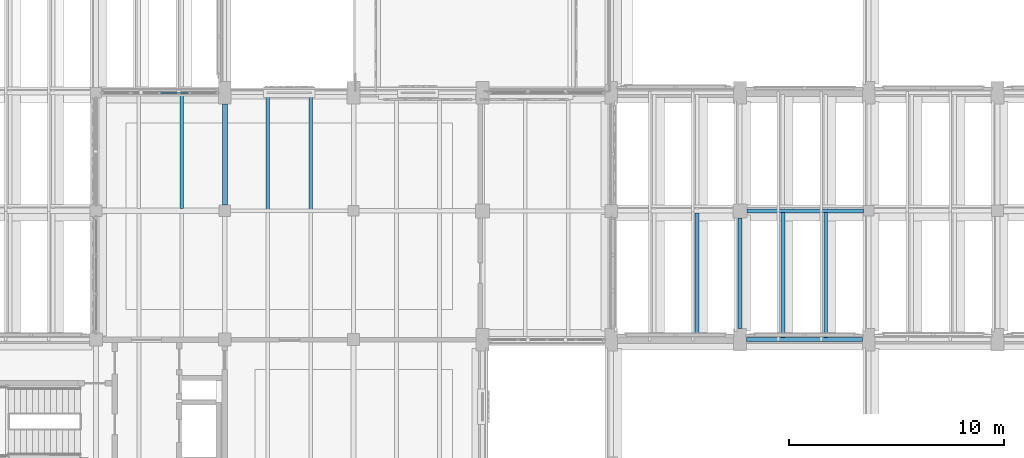
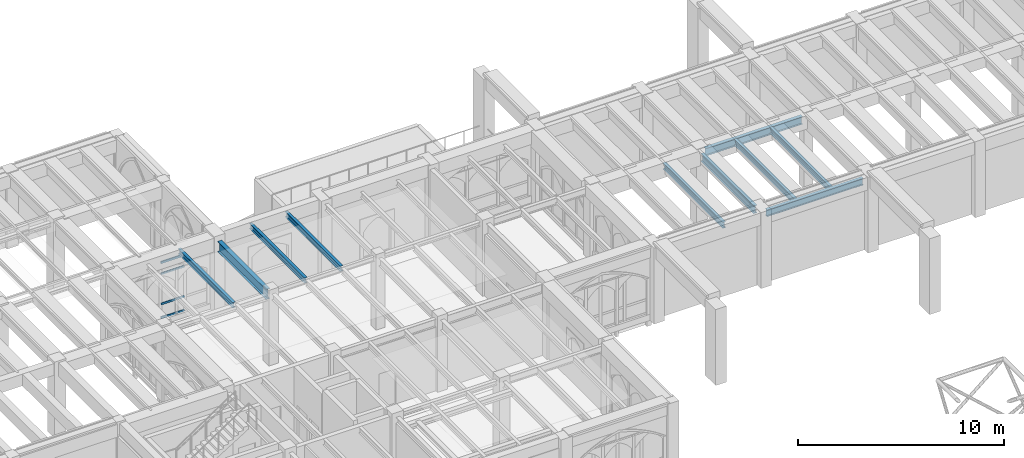
# One storey, part 54 of 127: 10 beams, 4 members, 1 element without a shape of its own.
"""IFC4 building model written with IfcOpenShell, lengths in metres."""

from ifc_helpers import new_model, si_unit, direction, frame, origin, origin_2d, place, context, subcontext, project, spatial, hollow_rectangle, i_section, extrude, material, layer, layer_set, material_profile, profile_set, type_object, element, aggregate, save


model = new_model("IFC4")

# Units and contexts
model_context = context("Model", 3, precision=1e-05, world=origin(), true_north=direction((0.0, 1.0)))
body_context = subcontext(model_context, "Body", "Model", "MODEL_VIEW")
ifc_project = project(units=[si_unit("LENGTHUNIT", "METRE"), si_unit("AREAUNIT", "SQUARE_METRE"), si_unit("VOLUMEUNIT", "CUBIC_METRE"), si_unit("PLANEANGLEUNIT", "RADIAN"), si_unit("MASSUNIT", "GRAM", prefix="KILO")], contexts=[model_context])

# Site, building, storey
site_placement = place(None, origin())
site = spatial("IfcSite", under=ifc_project, at=site_placement, CompositionType="ELEMENT")
building_placement = place(site_placement, origin())
building = spatial("IfcBuilding", under=site, at=building_placement, Name="Cumevento Cable Car Station", CompositionType="ELEMENT")
storey_placement = place(building_placement, frame((0.0, 0.0, 4.5)))
storey = spatial("IfcBuildingStorey", under=building, at=storey_placement, Name="L02", CompositionType="ELEMENT", Elevation=4.5)

# Curtain wall, members
ifc_material_1 = material(Name="Anodised Bronze Aluminium AW-6063-T6", Category="aluminium")
ifc_layer = layer(ifc_material_1, 0.22607421875)
ifc_layer_set = layer_set([ifc_layer], Name="Anodised Bronze Aluminium AW-6063-T6")
curtain_wall_type = type_object("IfcCurtainWallType", Name="Lancet Curtain Wall CW-12 1490", PredefinedType="NOTDEFINED", material=ifc_layer_set)
curtain_wall_placement = place(storey_placement, origin())
curtain_wall = element("IfcCurtainWall", 1, at=curtain_wall_placement, inside=storey, type_object=curtain_wall_type, Name="Lancet Curtain Wall CW-12 L02 #59", PredefinedType="NOTDEFINED")
ifc_material_2 = material(Name="Anodised Bronze Aluminium AW-6063-T6", Category="aluminium")
ifc_material_profile_1 = material_profile(ifc_material_2, hollow_rectangle(XDim=0.06494140625, YDim=0.1201171875, WallThickness=0.00390625, at=origin_2d()), Name="ALUT65x120x4")
ifc_profile_set_1 = profile_set([ifc_material_profile_1], Name="Anodised Bronze Aluminium AW-6063-T6")
member_type = type_object("IfcMemberType", Name="Curtain Transom CWT-01 ALUT65x120x4", PredefinedType="USERDEFINED", material=ifc_profile_set_1)
member_1_placement = place(storey_placement, frame((67.007568359375, 56.5, 0.342529296875), z_axis=(1.0, 0.0, 0.0), x_axis=(0.0, 1.0, 0.0)))
member_1 = element("IfcMember", 2, at=member_1_placement, type_object=member_type, Name="CW-12 transom 3.1", ObjectType="TRANSOM", PredefinedType="USERDEFINED", context=body_context, shape_type="SweptSolid", body=[
    extrude(hollow_rectangle(XDim=0.06494140625, YDim=0.1201171875, WallThickness=0.00390625, at=origin_2d()), origin(), (0.0, 0.0, 1.0), 1.29736328125),
])
member_2_placement = place(storey_placement, frame((67.007568359375, 56.5, 1.159912109375), z_axis=(1.0, 0.0, 0.0), x_axis=(0.0, 1.0, 0.0)))
member_2 = element("IfcMember", 3, at=member_2_placement, type_object=member_type, Name="CW-12 transom 3.2", ObjectType="TRANSOM", PredefinedType="USERDEFINED", context=body_context, shape_type="SweptSolid", body=[
    extrude(hollow_rectangle(XDim=0.06494140625, YDim=0.1201171875, WallThickness=0.00390625, at=origin_2d()), origin(), (0.0, 0.0, 1.0), 1.29736328125),
])
member_3_placement = place(storey_placement, frame((67.007568359375, 56.5, 2.947021484375), z_axis=(1.0, 0.0, 0.0), x_axis=(0.0, 1.0, 0.0)))
member_3 = element("IfcMember", 4, at=member_3_placement, type_object=member_type, Name="CW-12 transom 3.3", ObjectType="TRANSOM", PredefinedType="USERDEFINED", context=body_context, shape_type="SweptSolid", body=[
    extrude(hollow_rectangle(XDim=0.06494140625, YDim=0.1201171875, WallThickness=0.00390625, at=origin_2d()), origin(), (0.0, 0.0, 1.0), 1.29736328125),
])
member_4_placement = place(storey_placement, frame((67.007568359375, 56.5, 3.614501953125), z_axis=(1.0, 0.0, 0.0), x_axis=(0.0, 1.0, 0.0)))
member_4 = element("IfcMember", 5, at=member_4_placement, type_object=member_type, Name="CW-12 transom 3.4", ObjectType="TRANSOM", PredefinedType="USERDEFINED", context=body_context, shape_type="SweptSolid", body=[
    extrude(hollow_rectangle(XDim=0.06494140625, YDim=0.1201171875, WallThickness=0.00390625, at=origin_2d()), origin(), (0.0, 0.0, 1.0), 1.29736328125),
])
aggregate(curtain_wall, [member_1, member_2, member_3, member_4])

# Beams
ifc_material_3 = material(Name="Steel ASTM A572 Grade 50", Category="steel")
ifc_material_profile_2 = material_profile(ifc_material_3, i_section(OverallWidth=0.22802734375, OverallDepth=0.60791015625, WebThickness=0.01123046875, FlangeThickness=0.017333984375, at=origin_2d()), Name="W610x113.0")
ifc_profile_set_2 = profile_set([ifc_material_profile_2], Name="Steel ASTM A572 Grade 50")
beam_type_1 = type_object("IfcBeamType", Name="Structural Beam BM-02 W610x113.0", PredefinedType="BEAM", material=ifc_profile_set_2)
beam_1_placement = place(storey_placement, frame((70.0, 51.27490234375, 3.865966796875), z_axis=(0.0, 1.0, 0.0), x_axis=(-1.0, 0.0, 0.0)))
element("IfcBeam", 6, at=beam_1_placement, inside=storey, type_object=beam_type_1, Name="Beam BM-02 L02 #604", PredefinedType="BEAM", context=body_context, shape_type="SweptSolid", body=[
    extrude(i_section(OverallWidth=0.22802734375, OverallDepth=0.60791015625, WebThickness=0.01123046875, FlangeThickness=0.017333984375, at=origin_2d()), origin(), (0.0, 0.0, 1.0), 4.7001953125),
])
ifc_material_4 = material(Name="Steel ASTM A572 Grade 50", Category="steel")
ifc_material_profile_3 = material_profile(ifc_material_4, i_section(OverallWidth=0.18994140625, OverallDepth=0.45703125, WebThickness=0.009033203125, FlangeThickness=0.014404296875, at=origin_2d()), Name="W460x74.0")
ifc_profile_set_3 = profile_set([ifc_material_profile_3], Name="Steel ASTM A572 Grade 50")
beam_type_2 = type_object("IfcBeamType", Name="Structural Beam BM-04 W460x74.0", PredefinedType="BEAM", material=ifc_profile_set_3)
beam_2_placement = place(storey_placement, frame((94.324951171875, 51.0, 3.96142578125), z_axis=(1.0, 0.0, 0.0), x_axis=(0.0, 1.0, 0.0)))
element("IfcBeam", 7, at=beam_2_placement, inside=storey, type_object=beam_type_2, Name="Beam BM-04 L02 #617", PredefinedType="BEAM", context=body_context, shape_type="SweptSolid", body=[
    extrude(i_section(OverallWidth=0.18994140625, OverallDepth=0.45703125, WebThickness=0.009033203125, FlangeThickness=0.014404296875, at=origin_2d()), origin(), (0.0, 0.0, 1.0), 5.425048828125),
])
beam_3_placement = place(storey_placement, frame((94.0, 45.52490234375, 3.96142578125), z_axis=(0.0, 1.0, 0.0), x_axis=(-1.0, 0.0, 0.0)))
element("IfcBeam", 8, at=beam_3_placement, inside=storey, type_object=beam_type_2, Name="Beam BM-04 L02 #626", PredefinedType="BEAM", context=body_context, shape_type="SweptSolid", body=[
    extrude(i_section(OverallWidth=0.18994140625, OverallDepth=0.45703125, WebThickness=0.009033203125, FlangeThickness=0.014404296875, at=origin_2d()), origin(), (0.0, 0.0, 1.0), 5.150146484375),
])
ifc_material_5 = material(Name="Steel ASTM A572 Grade 50", Category="steel")
ifc_material_profile_4 = material_profile(ifc_material_5, i_section(OverallWidth=0.1708984375, OverallDepth=0.35498046875, WebThickness=0.007080078125, FlangeThickness=0.01171875, at=origin_2d()), Name="W360x51.0")
ifc_profile_set_4 = profile_set([ifc_material_profile_4], Name="Steel ASTM A572 Grade 50")
beam_type_3 = type_object("IfcBeamType", Name="Structural Joist JS-01 W360x51.0", PredefinedType="JOIST", material=ifc_profile_set_4)
beam_4_placement = place(storey_placement, frame((92.0, 45.076904296875, 4.012451171875), z_axis=(0.0, 1.0, 0.0), x_axis=(-1.0, 0.0, 0.0)))
element("IfcBeam", 9, at=beam_4_placement, inside=storey, type_object=beam_type_3, Name="Composite Floor Joist JS-01 L02 #836", PredefinedType="JOIST", context=body_context, shape_type="SweptSolid", body=[
    extrude(i_section(OverallWidth=0.1708984375, OverallDepth=0.35498046875, WebThickness=0.007080078125, FlangeThickness=0.01171875, at=origin_2d()), origin(), (0.0, 0.0, 1.0), 5.82958984375),
])
for number, where, z_axis, x_axis, name in (
    (10, (96.0, 45.076904296875, 4.012451171875), (0.0, 1.0, 0.0), (-1.0, 0.0, 0.0), "Composite Floor Joist JS-01 L02 #838"),
    (11, (98.0, 45.076904296875, 4.012451171875), (0.0, 1.0, 0.0), (-1.0, 0.0, 0.0), "Composite Floor Joist JS-01 L02 #840"),
):
    element("IfcBeam", number, at=place(storey_placement, frame(where, z_axis=z_axis, x_axis=x_axis)), inside=storey, type_object=beam_type_3, Name=name, PredefinedType="JOIST", context=body_context, shape_type="SweptSolid", body=[
        extrude(i_section(OverallWidth=0.1708984375, OverallDepth=0.35498046875, WebThickness=0.007080078125, FlangeThickness=0.01171875, at=origin_2d()), origin(), (0.0, 0.0, 1.0), 5.840087890625),
    ])
ifc_material_6 = material(Name="Steel ASTM A572 Grade 50", Category="steel")
ifc_material_profile_5 = material_profile(ifc_material_6, i_section(OverallWidth=0.1669921875, OverallDepth=0.31689453125, WebThickness=0.007568359375, FlangeThickness=0.01318359375, at=origin_2d()), Name="W310x52.0")
ifc_profile_set_5 = profile_set([ifc_material_profile_5], Name="Steel ASTM A572 Grade 50")
beam_type_4 = type_object("IfcBeamType", Name="Structural Joist JS-02 W310x52.0", PredefinedType="JOIST", material=ifc_profile_set_5)
beam_5_placement = place(storey_placement, frame((68.0, 51.114990234375, 4.011474609375), z_axis=(0.0, 1.0, 0.0), x_axis=(-1.0, 0.0, 0.0)))
element("IfcBeam", 12, at=beam_5_placement, inside=storey, type_object=beam_type_4, Name="Composite Floor Joist JS-02 L02 #821", PredefinedType="JOIST", context=body_context, shape_type="SweptSolid", body=[
    extrude(i_section(OverallWidth=0.1669921875, OverallDepth=0.31689453125, WebThickness=0.007568359375, FlangeThickness=0.01318359375, at=origin_2d()), origin(), (0.0, 0.0, 1.0), 5.301025390625),
])
for number, where, z_axis, x_axis, name in (
    (13, (72.0, 51.06201171875, 4.10546875), (0.0, 1.0, 0.0), (-1.0, 0.0, 0.0), "Composite Floor Joist JS-02 L02 #823"),
    (14, (74.0, 51.06201171875, 4.10546875), (0.0, 1.0, 0.0), (-1.0, 0.0, 0.0), "Composite Floor Joist JS-02 L02 #825"),
):
    element("IfcBeam", number, at=place(storey_placement, frame(where, z_axis=z_axis, x_axis=x_axis)), inside=storey, type_object=beam_type_4, Name=name, PredefinedType="JOIST", context=body_context, shape_type="SweptSolid", body=[
        extrude(i_section(OverallWidth=0.1669921875, OverallDepth=0.31689453125, WebThickness=0.007568359375, FlangeThickness=0.01318359375, at=origin_2d()), origin(), (0.0, 0.0, 1.0), 5.361083984375),
    ])
ifc_material_7 = material(Name="Steel ASTM A572 Grade 50", Category="steel")
ifc_material_profile_6 = material_profile(ifc_material_7, i_section(OverallWidth=0.177978515625, OverallDepth=0.406982421875, WebThickness=0.0078125, FlangeThickness=0.0126953125, at=origin_2d()), Name="W410x60.0")
ifc_profile_set_6 = profile_set([ifc_material_profile_6], Name="Steel ASTM A572 Grade 50")
beam_type_5 = type_object("IfcBeamType", Name="Structural Spandrel SP-01 W410x60.0", PredefinedType="SPANDREL", material=ifc_profile_set_6)
beam_6_placement = place(storey_placement, frame((94.300048828125, 45.0, 3.986572265625), z_axis=(1.0, 0.0, 0.0), x_axis=(0.0, 1.0, 0.0)))
element("IfcBeam", 15, at=beam_6_placement, inside=storey, type_object=beam_type_5, Name="Beam SP-01 L02 #612", PredefinedType="SPANDREL", context=body_context, shape_type="SweptSolid", body=[
    extrude(i_section(OverallWidth=0.177978515625, OverallDepth=0.406982421875, WebThickness=0.0078125, FlangeThickness=0.0126953125, at=origin_2d()), origin(), (0.0, 0.0, 1.0), 5.39990234375),
])

save(model, "model.ifc")
